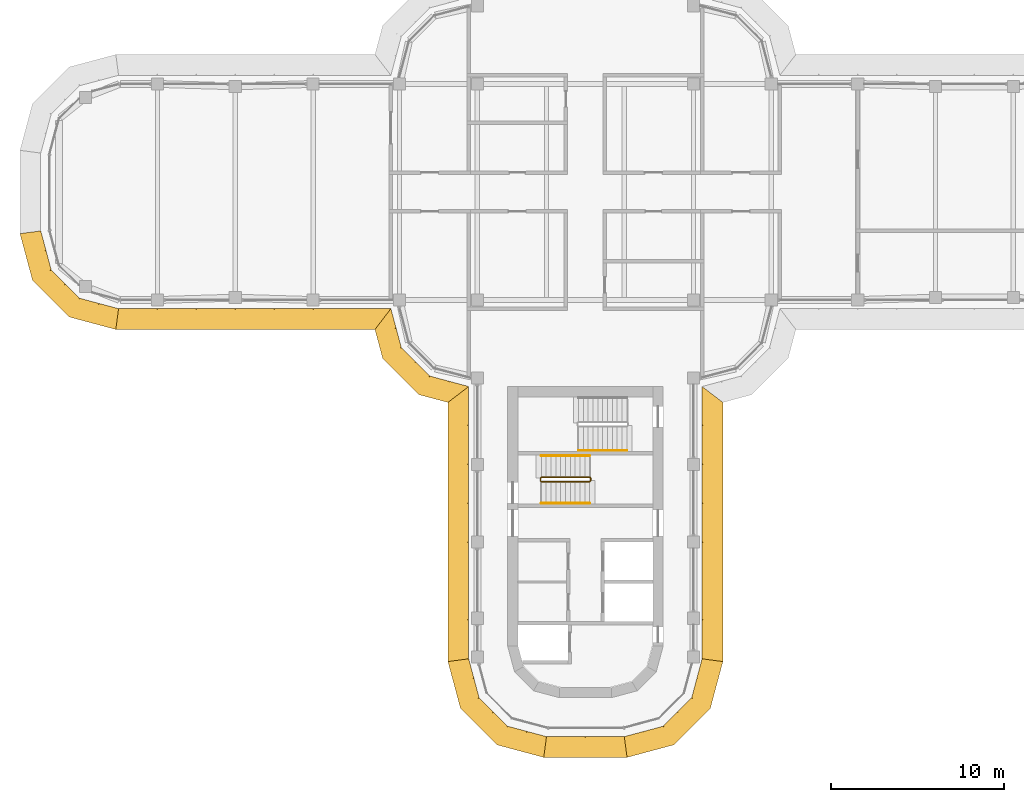
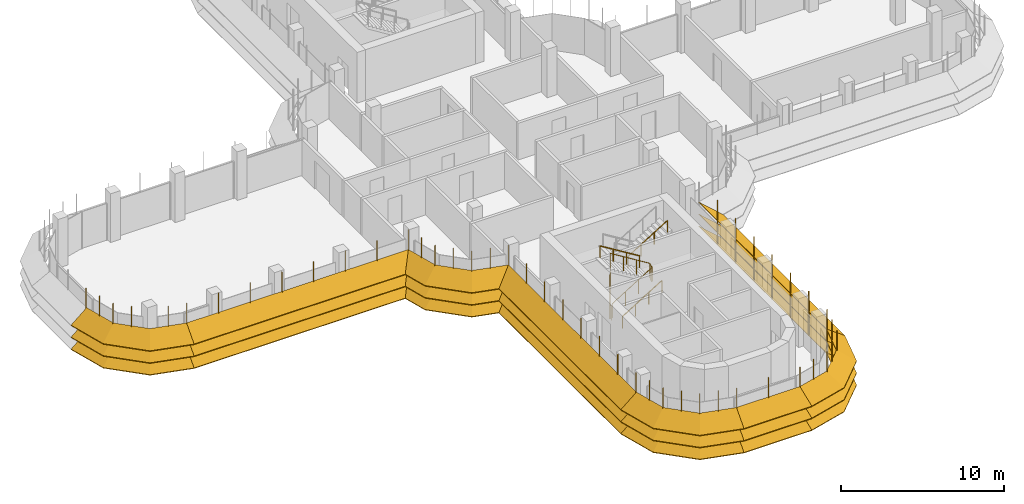
# One storey, part 16 of 19: 8 shading devices, 4 railings.
"""IFC4 building model written with IfcOpenShell, lengths in metres."""

from ifc_helpers import new_model, si_unit, direction, frame, origin, origin_2d, place, context, subcontext, project, spatial, polyline, circle, outline, extrude, faceted_brep, source, transform, mapped, material, type_object, element, save


model = new_model("IFC4")

# Units and contexts
model_context = context("Model", 3, precision=1e-05, world=origin(), true_north=direction((0.0, 1.0)))
body_context = subcontext(model_context, "Body", "Model", "MODEL_VIEW")
ifc_project = project(units=[si_unit("LENGTHUNIT", "METRE"), si_unit("AREAUNIT", "SQUARE_METRE"), si_unit("VOLUMEUNIT", "CUBIC_METRE"), si_unit("PLANEANGLEUNIT", "RADIAN"), si_unit("MASSUNIT", "GRAM", prefix="KILO")], contexts=[model_context])

# Site, building, storey
site_placement = place(None, origin())
site = spatial("IfcSite", under=ifc_project, at=site_placement, CompositionType="ELEMENT")
building_placement = place(site_placement, origin())
building = spatial("IfcBuilding", under=site, at=building_placement, Name="Zarbagh Exchange Tower", CompositionType="ELEMENT")
storey_placement = place(building_placement, frame((0.0, 0.0, 222.0)))
storey = spatial("IfcBuildingStorey", under=building, at=storey_placement, Name="L54", CompositionType="ELEMENT", Elevation=222.0)

# Railings
ifc_material_1 = material(Name="Stainless steel", Category="steel")
railing_type_1 = type_object("IfcRailingType", Name="Stair guard 1100 mm", PredefinedType="GUARDRAIL", material=ifc_material_1)
railing_1_placement = place(storey_placement, frame((-2.550048828125, -16.75, 0.172607421875)))
element("IfcRailing", 1, at=railing_1_placement, inside=storey, type_object=railing_type_1, Name="ST3 stair guard 1", PredefinedType="GUARDRAIL", context=body_context, shape_type="SweptSolid", body=[
    extrude(circle(Radius=0.02392578125, at=origin_2d()), frame((0.0, 0.0, 1.076171875), z_axis=(0.851089632645, 0.0, 0.525020415988), x_axis=(0.0, 1.0, 0.0)), (0.0, 0.0, 1.0), 3.2900390625),
    extrude(circle(Radius=0.02392578125, at=origin_2d()), frame((2.800048828125, 0.0, 2.80322265625), z_axis=(0.707106781187, 0.707106781187, 0.0), x_axis=(-0.707106781187, 0.707106781187, 0.0)), (0.0, 0.0, 1.0), 0.07080078125),
    extrude(circle(Radius=0.02392578125, at=origin_2d()), frame((2.85009765625, 0.050048828125, 2.80322265625), z_axis=(0.0, 1.0, 0.0), x_axis=(-1.0, 0.0, 0.0)), (0.0, 0.0, 1.0), 0.14990234375),
    extrude(circle(Radius=0.02392578125, at=origin_2d()), frame((2.85009765625, 0.199951171875, 2.80322265625), z_axis=(-0.267953482034, 0.267953482034, 0.925419830635), x_axis=(-0.707106781187, -0.707106781187, 0.0)), (0.0, 0.0, 1.0), 0.186767578125),
    extrude(circle(Radius=0.02392578125, at=origin_2d()), frame((2.800048828125, 0.25, 2.97607421875), z_axis=(-0.851089632645, 0.0, 0.525020415988), x_axis=(0.0, -1.0, 0.0)), (0.0, 0.0, 1.0), 3.2900390625),
    extrude(circle(Radius=0.02392578125, at=origin_2d()), frame((0.0, 0.25, 4.70361328125), z_axis=(-0.013168290981, -0.013168290981, -0.999826581076), x_axis=(0.707106781187, -0.707106781187, 0.0)), (0.0, 0.0, 1.0), 3.80078125),
    extrude(circle(Radius=0.02392578125, at=origin_2d()), frame((-0.050048828125, 0.199951171875, 0.9033203125), z_axis=(0.0, -1.0, 0.0), x_axis=(1.0, 0.0, 0.0)), (0.0, 0.0, 1.0), 0.14990234375),
    extrude(circle(Radius=0.02099609375, at=origin_2d()), origin(), (0.0, 0.0, 1.0), 1.052001953125),
    extrude(circle(Radius=0.02099609375, at=origin_2d()), frame((0.933349609375, 0.0, 0.57568359375)), (0.0, 0.0, 1.0), 1.052001953125),
    extrude(circle(Radius=0.02099609375, at=origin_2d()), frame((1.86669921875, 0.0, 1.151611328125)), (0.0, 0.0, 1.0), 1.052001953125),
    extrude(circle(Radius=0.02099609375, at=origin_2d()), frame((2.800048828125, 0.0, 1.727294921875)), (0.0, 0.0, 1.0), 1.052001953125),
    extrude(circle(Radius=0.02099609375, at=origin_2d()), frame((2.85009765625, 0.050048828125, 1.727294921875)), (0.0, 0.0, 1.0), 1.052001953125),
    extrude(circle(Radius=0.02099609375, at=origin_2d()), frame((2.85009765625, 0.199951171875, 1.727294921875)), (0.0, 0.0, 1.0), 1.052001953125),
    extrude(circle(Radius=0.02099609375, at=origin_2d()), frame((2.800048828125, 0.25, 1.900146484375)), (0.0, 0.0, 1.0), 1.052001953125),
    extrude(circle(Radius=0.02099609375, at=origin_2d()), frame((1.86669921875, 0.25, 2.475830078125)), (0.0, 0.0, 1.0), 1.052001953125),
    extrude(circle(Radius=0.02099609375, at=origin_2d()), frame((0.933349609375, 0.25, 3.0517578125)), (0.0, 0.0, 1.0), 1.052001953125),
    extrude(circle(Radius=0.02099609375, at=origin_2d()), frame((0.0, 0.25, 3.62744140625)), (0.0, 0.0, 1.0), 1.052001953125),
    extrude(circle(Radius=0.02099609375, at=origin_2d()), frame((-0.012451171875, 0.237548828125, 2.677490234375)), (0.0, 0.0, 1.0), 1.052001953125),
    extrude(circle(Radius=0.02099609375, at=origin_2d()), frame((-0.02490234375, 0.22509765625, 1.7275390625)), (0.0, 0.0, 1.0), 1.052001953125),
    extrude(circle(Radius=0.02099609375, at=origin_2d()), frame((-0.03759765625, 0.21240234375, 0.77734375)), (0.0, 0.0, 1.0), 1.052001953125),
    extrude(circle(Radius=0.02099609375, at=origin_2d()), frame((-0.050048828125, 0.199951171875, -0.172607421875)), (0.0, 0.0, 1.0), 1.052001953125),
    extrude(circle(Radius=0.02099609375, at=origin_2d()), frame((-0.050048828125, 0.050048828125, -0.172607421875)), (0.0, 0.0, 1.0), 1.052001953125),
])
railing_type_2 = type_object("IfcRailingType", Name="Stair handrail 900 mm", PredefinedType="HANDRAIL", material=ifc_material_1)
railing_2_placement = place(storey_placement, frame((-2.550048828125, -18.0, 0.172607421875)))
element("IfcRailing", 2, at=railing_2_placement, inside=storey, type_object=railing_type_2, Name="ST3 stair handrail 1", PredefinedType="HANDRAIL", context=body_context, shape_type="SweptSolid", body=[
    extrude(circle(Radius=0.02392578125, at=origin_2d()), frame((0.0, 0.0, 0.8759765625), z_axis=(0.851089632645, 0.0, 0.525020415988), x_axis=(0.0, 1.0, 0.0)), (0.0, 0.0, 1.0), 3.2900390625),
    extrude(circle(Radius=0.02099609375, at=origin_2d()), origin(), (0.0, 0.0, 1.0), 0.851806640625),
    extrude(circle(Radius=0.02099609375, at=origin_2d()), frame((0.933349609375, 0.0, 0.57568359375)), (0.0, 0.0, 1.0), 0.851806640625),
    extrude(circle(Radius=0.02099609375, at=origin_2d()), frame((1.86669921875, 0.0, 1.151611328125)), (0.0, 0.0, 1.0), 0.851806640625),
    extrude(circle(Radius=0.02099609375, at=origin_2d()), frame((2.800048828125, 0.0, 1.727294921875)), (0.0, 0.0, 1.0), 0.851806640625),
])
railing_3_placement = place(storey_placement, frame((0.25, -15.25, 2.07275390625)))
element("IfcRailing", 3, at=railing_3_placement, inside=storey, type_object=railing_type_2, Name="ST3 stair handrail 2", PredefinedType="HANDRAIL", context=body_context, shape_type="SweptSolid", body=[
    extrude(circle(Radius=0.02392578125, at=origin_2d()), frame((0.0, 0.0, 0.8759765625), z_axis=(-0.851089632645, 0.0, 0.525020415988), x_axis=(0.0, -1.0, 0.0)), (0.0, 0.0, 1.0), 3.2900390625),
    extrude(circle(Radius=0.02099609375, at=origin_2d()), origin(), (0.0, 0.0, 1.0), 0.851806640625),
    extrude(circle(Radius=0.02099609375, at=origin_2d()), frame((-0.933349609375, 0.0, 0.57568359375)), (0.0, 0.0, 1.0), 0.851806640625),
    extrude(circle(Radius=0.02099609375, at=origin_2d()), frame((-1.86669921875, 0.0, 1.151611328125)), (0.0, 0.0, 1.0), 0.851806640625),
    extrude(circle(Radius=0.02099609375, at=origin_2d()), frame((-2.800048828125, 0.0, 1.727294921875)), (0.0, 0.0, 1.0), 0.851806640625),
])
railing_4_placement = place(storey_placement, frame((-0.39990234375, -14.949951171875, 2.07275390625)))
element("IfcRailing", 4, at=railing_4_placement, inside=storey, type_object=railing_type_2, Name="ST4 stair handrail 2", PredefinedType="HANDRAIL", context=body_context, shape_type="SweptSolid", body=[
    extrude(circle(Radius=0.02392578125, at=origin_2d()), frame((0.0, 0.0, 0.8759765625), z_axis=(0.851069175582, 0.0, 0.525053576669), x_axis=(0.0, 1.0, 0.0)), (0.0, 0.0, 1.0), 3.289794921875),
    extrude(circle(Radius=0.02099609375, at=origin_2d()), origin(), (0.0, 0.0, 1.0), 0.851806640625),
    extrude(circle(Radius=0.02099609375, at=origin_2d()), frame((0.933349609375, 0.0, 0.57568359375)), (0.0, 0.0, 1.0), 0.851806640625),
    extrude(circle(Radius=0.02099609375, at=origin_2d()), frame((1.866455078125, 0.0, 1.151611328125)), (0.0, 0.0, 1.0), 0.851806640625),
    extrude(circle(Radius=0.02099609375, at=origin_2d()), frame((2.7998046875, 0.0, 1.727294921875)), (0.0, 0.0, 1.0), 0.851806640625),
])

# Shading devices
ifc_material_2 = material(Name="Anodised aluminium blades and brackets", Category="aluminium")
shading_device_type = type_object("IfcShadingDeviceType", Name="SUNSHADE louvre band, 33.75 degree blades", PredefinedType="JALOUSIE", material=ifc_material_2)
shared_shape_1 = source(origin(), body_context, "Body", "Brep", [
    faceted_brep([(0.0, 0.0, 0.0), (0.0, 0.0, -0.048095703125), (-0.157958984375, -1.199951171875, -0.849853515625), (-0.157958984375, -1.199951171875, -0.8017578125), (2.65087890625, -1.199951171875, -0.8017578125), (2.65087890625, -1.199951171875, -0.849853515625), (2.329345703125, 0.0, -0.048095703125), (2.329345703125, 0.0, 0.0)], [[[0, 1, 2, 3]], [[4, 5, 6, 7]], [[0, 7, 6, 1]], [[1, 6, 5, 2]], [[2, 5, 4, 3]], [[3, 4, 7, 0]]]),
])
shared_shape_2 = source(origin(), body_context, "Body", "Brep", [
    faceted_brep([(0.0, 0.0, 0.0), (0.0, 0.0, -0.048095703125), (-0.321533203125, -1.199951171875, -0.849853515625), (-0.321533203125, -1.199951171875, -0.8017578125), (2.65087890625, -1.199951171875, -0.8017578125), (2.65087890625, -1.199951171875, -0.849853515625), (2.329345703125, 0.0, -0.048095703125), (2.329345703125, 0.0, 0.0)], [[[0, 1, 2, 3]], [[4, 5, 6, 7]], [[0, 7, 6, 1]], [[1, 6, 5, 2]], [[2, 5, 4, 3]], [[3, 4, 7, 0]]]),
])
shared_shape_3 = source(origin(), body_context, "Body", "Brep", [
    faceted_brep([(0.0, 0.0, 0.0), (0.0, 0.0, -0.048095703125), (-0.321533203125, -1.199951171875, -0.849853515625), (-0.321533203125, -1.199951171875, -0.8017578125), (2.4873046875, -1.199951171875, -0.8017578125), (2.4873046875, -1.199951171875, -0.849853515625), (2.329345703125, 0.0, -0.048095703125), (2.329345703125, 0.0, 0.0)], [[[0, 1, 2, 3]], [[4, 5, 6, 7]], [[0, 7, 6, 1]], [[1, 6, 5, 2]], [[2, 5, 4, 3]], [[3, 4, 7, 0]]]),
])
shared_shape_4 = source(origin(), body_context, "Body", "SweptSolid", [
    extrude(outline(polyline([(0.0, -0.012451171875), (0.06005859375, -0.012451171875), (0.06005859375, 0.012451171875), (0.0, 0.012451171875), (0.0, -0.012451171875)])), origin(), (0.0, 0.0, 1.0), 3.358154296875),
])
placement = place(storey_placement, origin())
element("IfcShadingDevice", 5, at=placement, inside=storey, type_object=shading_device_type, Name="SS35 sunshade band", PredefinedType="JALOUSIE", context=body_context, shape_type="MappedRepresentation", body=[
    mapped(shared_shape_1, transform((2.25, -31.5, 2.300048828125), x_axis=(0.965924289636, 0.258824779902, 0.0), y_axis=(-0.258824779902, 0.965924289636, 0.0), z_axis=(0.0, 0.0, 1.0))),
    mapped(shared_shape_1, transform((2.25, -31.5, 1.39990234375), x_axis=(0.965924289636, 0.258824779902, 0.0), y_axis=(-0.258824779902, 0.965924289636, 0.0), z_axis=(0.0, 0.0, 1.0))),
    mapped(shared_shape_1, transform((2.25, -31.5, 0.5), x_axis=(0.965924289636, 0.258824779902, 0.0), y_axis=(-0.258824779902, 0.965924289636, 0.0), z_axis=(0.0, 0.0, 1.0))),
    mapped(shared_shape_2, transform((4.5, -30.897216796875, 2.300048828125), x_axis=(0.707106781187, 0.707106781187, 0.0), y_axis=(-0.707106781187, 0.707106781187, 0.0), z_axis=(0.0, 0.0, 1.0))),
    mapped(shared_shape_2, transform((4.5, -30.897216796875, 1.39990234375), x_axis=(0.707106781187, 0.707106781187, 0.0), y_axis=(-0.707106781187, 0.707106781187, 0.0), z_axis=(0.0, 0.0, 1.0))),
    mapped(shared_shape_2, transform((4.5, -30.897216796875, 0.5), x_axis=(0.707106781187, 0.707106781187, 0.0), y_axis=(-0.707106781187, 0.707106781187, 0.0), z_axis=(0.0, 0.0, 1.0))),
    mapped(shared_shape_3, transform((6.147216796875, -29.25, 2.300048828125), x_axis=(0.258824779902, 0.965924289636, 0.0), y_axis=(-0.965924289636, 0.258824779902, 0.0), z_axis=(0.0, 0.0, 1.0))),
    mapped(shared_shape_3, transform((6.147216796875, -29.25, 1.39990234375), x_axis=(0.258824779902, 0.965924289636, 0.0), y_axis=(-0.965924289636, 0.258824779902, 0.0), z_axis=(0.0, 0.0, 1.0))),
    mapped(shared_shape_3, transform((6.147216796875, -29.25, 0.5), x_axis=(0.258824779902, 0.965924289636, 0.0), y_axis=(-0.965924289636, 0.258824779902, 0.0), z_axis=(0.0, 0.0, 1.0))),
    mapped(shared_shape_4, transform((2.25, -31.5, 0.421875), x_axis=(0.130529263012, -0.991444457092, 0.0), y_axis=(0.991444457092, 0.130529263012, 0.0), z_axis=(0.0, 0.0, 1.0))),
    mapped(shared_shape_4, transform((3.375, -31.198486328125, 0.421875), x_axis=(0.258825058029, -0.96592421511, 0.0), y_axis=(0.96592421511, 0.258825058029, 0.0), z_axis=(0.0, 0.0, 1.0))),
    mapped(shared_shape_4, transform((4.5, -30.897216796875, 0.421875), x_axis=(0.50000275701, -0.866023812018, 0.0), y_axis=(0.866023812018, 0.50000275701, 0.0), z_axis=(0.0, 0.0, 1.0))),
    mapped(shared_shape_4, transform((5.323486328125, -30.073486328125, 0.421875), x_axis=(0.707106781187, -0.707106781187, 0.0), y_axis=(0.707106781187, 0.707106781187, 0.0), z_axis=(0.0, 0.0, 1.0))),
    mapped(shared_shape_4, transform((6.147216796875, -29.25, 0.421875), x_axis=(0.866023812018, -0.50000275701, 0.0), y_axis=(0.50000275701, 0.866023812018, 0.0), z_axis=(0.0, 0.0, 1.0))),
    mapped(shared_shape_4, transform((6.448486328125, -28.125, 0.421875), x_axis=(0.96592421511, -0.258825058029, 0.0), y_axis=(0.258825058029, 0.96592421511, 0.0), z_axis=(0.0, 0.0, 1.0))),
])
element("IfcShadingDevice", 6, at=placement, inside=storey, type_object=shading_device_type, Name="SS43 sunshade band", PredefinedType="JALOUSIE", context=body_context, shape_type="MappedRepresentation", body=[
    mapped(shared_shape_1, transform((-31.5, -2.25, 2.300048828125), x_axis=(0.258824779902, -0.965924289636, 0.0), y_axis=(0.965924289636, 0.258824779902, 0.0), z_axis=(0.0, 0.0, 1.0))),
    mapped(shared_shape_1, transform((-31.5, -2.25, 1.39990234375), x_axis=(0.258824779902, -0.965924289636, 0.0), y_axis=(0.965924289636, 0.258824779902, 0.0), z_axis=(0.0, 0.0, 1.0))),
    mapped(shared_shape_1, transform((-31.5, -2.25, 0.5), x_axis=(0.258824779902, -0.965924289636, 0.0), y_axis=(0.965924289636, 0.258824779902, 0.0), z_axis=(0.0, 0.0, 1.0))),
    mapped(shared_shape_2, transform((-30.897216796875, -4.5, 2.300048828125), x_axis=(0.707106781187, -0.707106781187, 0.0), y_axis=(0.707106781187, 0.707106781187, 0.0), z_axis=(0.0, 0.0, 1.0))),
    mapped(shared_shape_2, transform((-30.897216796875, -4.5, 1.39990234375), x_axis=(0.707106781187, -0.707106781187, 0.0), y_axis=(0.707106781187, 0.707106781187, 0.0), z_axis=(0.0, 0.0, 1.0))),
    mapped(shared_shape_2, transform((-30.897216796875, -4.5, 0.5), x_axis=(0.707106781187, -0.707106781187, 0.0), y_axis=(0.707106781187, 0.707106781187, 0.0), z_axis=(0.0, 0.0, 1.0))),
    mapped(shared_shape_3, transform((-29.25, -6.147216796875, 2.300048828125), x_axis=(0.965924289636, -0.258824779902, 0.0), y_axis=(0.258824779902, 0.965924289636, 0.0), z_axis=(0.0, 0.0, 1.0))),
    mapped(shared_shape_3, transform((-29.25, -6.147216796875, 1.39990234375), x_axis=(0.965924289636, -0.258824779902, 0.0), y_axis=(0.258824779902, 0.965924289636, 0.0), z_axis=(0.0, 0.0, 1.0))),
    mapped(shared_shape_3, transform((-29.25, -6.147216796875, 0.5), x_axis=(0.965924289636, -0.258824779902, 0.0), y_axis=(0.258824779902, 0.965924289636, 0.0), z_axis=(0.0, 0.0, 1.0))),
    mapped(shared_shape_4, transform((-31.5, -2.25, 0.421875), x_axis=(-0.991444457092, -0.130529263012, 0.0), y_axis=(0.130529263012, -0.991444457092, 0.0), z_axis=(0.0, 0.0, 1.0))),
    mapped(shared_shape_4, transform((-31.198486328125, -3.375, 0.421875), x_axis=(-0.96592421511, -0.258825058029, 0.0), y_axis=(0.258825058029, -0.96592421511, 0.0), z_axis=(0.0, 0.0, 1.0))),
    mapped(shared_shape_4, transform((-30.897216796875, -4.5, 0.421875), x_axis=(-0.866023812018, -0.50000275701, 0.0), y_axis=(0.50000275701, -0.866023812018, 0.0), z_axis=(0.0, 0.0, 1.0))),
    mapped(shared_shape_4, transform((-30.073486328125, -5.323486328125, 0.421875), x_axis=(-0.707106781187, -0.707106781187, 0.0), y_axis=(0.707106781187, -0.707106781187, 0.0), z_axis=(0.0, 0.0, 1.0))),
    mapped(shared_shape_4, transform((-29.25, -6.147216796875, 0.421875), x_axis=(-0.50000275701, -0.866023812018, 0.0), y_axis=(0.866023812018, -0.50000275701, 0.0), z_axis=(0.0, 0.0, 1.0))),
    mapped(shared_shape_4, transform((-28.125, -6.448486328125, 0.421875), x_axis=(-0.258825058029, -0.96592421511, 0.0), y_axis=(0.96592421511, -0.258825058029, 0.0), z_axis=(0.0, 0.0, 1.0))),
])
element("IfcShadingDevice", 7, at=placement, inside=storey, type_object=shading_device_type, Name="SS38 sunshade band", PredefinedType="JALOUSIE", context=body_context, shape_type="MappedRepresentation", body=[
    mapped(shared_shape_1, transform((-6.75, -27.0, 2.300048828125), x_axis=(0.258824779902, -0.965924289636, 0.0), y_axis=(0.965924289636, 0.258824779902, 0.0), z_axis=(0.0, 0.0, 1.0))),
    mapped(shared_shape_1, transform((-6.75, -27.0, 1.39990234375), x_axis=(0.258824779902, -0.965924289636, 0.0), y_axis=(0.965924289636, 0.258824779902, 0.0), z_axis=(0.0, 0.0, 1.0))),
    mapped(shared_shape_1, transform((-6.75, -27.0, 0.5), x_axis=(0.258824779902, -0.965924289636, 0.0), y_axis=(0.965924289636, 0.258824779902, 0.0), z_axis=(0.0, 0.0, 1.0))),
    mapped(shared_shape_2, transform((-6.147216796875, -29.25, 2.300048828125), x_axis=(0.707106781187, -0.707106781187, 0.0), y_axis=(0.707106781187, 0.707106781187, 0.0), z_axis=(0.0, 0.0, 1.0))),
    mapped(shared_shape_2, transform((-6.147216796875, -29.25, 1.39990234375), x_axis=(0.707106781187, -0.707106781187, 0.0), y_axis=(0.707106781187, 0.707106781187, 0.0), z_axis=(0.0, 0.0, 1.0))),
    mapped(shared_shape_2, transform((-6.147216796875, -29.25, 0.5), x_axis=(0.707106781187, -0.707106781187, 0.0), y_axis=(0.707106781187, 0.707106781187, 0.0), z_axis=(0.0, 0.0, 1.0))),
    mapped(shared_shape_3, transform((-4.5, -30.897216796875, 2.300048828125), x_axis=(0.965924289636, -0.258824779902, 0.0), y_axis=(0.258824779902, 0.965924289636, 0.0), z_axis=(0.0, 0.0, 1.0))),
    mapped(shared_shape_3, transform((-4.5, -30.897216796875, 1.39990234375), x_axis=(0.965924289636, -0.258824779902, 0.0), y_axis=(0.258824779902, 0.965924289636, 0.0), z_axis=(0.0, 0.0, 1.0))),
    mapped(shared_shape_3, transform((-4.5, -30.897216796875, 0.5), x_axis=(0.965924289636, -0.258824779902, 0.0), y_axis=(0.258824779902, 0.965924289636, 0.0), z_axis=(0.0, 0.0, 1.0))),
    mapped(shared_shape_4, transform((-6.75, -27.0, 0.421875), x_axis=(-0.991444457092, -0.130529263012, 0.0), y_axis=(0.130529263012, -0.991444457092, 0.0), z_axis=(0.0, 0.0, 1.0))),
    mapped(shared_shape_4, transform((-6.448486328125, -28.125, 0.421875), x_axis=(-0.96592421511, -0.258825058029, 0.0), y_axis=(0.258825058029, -0.96592421511, 0.0), z_axis=(0.0, 0.0, 1.0))),
    mapped(shared_shape_4, transform((-6.147216796875, -29.25, 0.421875), x_axis=(-0.866023812018, -0.50000275701, 0.0), y_axis=(0.50000275701, -0.866023812018, 0.0), z_axis=(0.0, 0.0, 1.0))),
    mapped(shared_shape_4, transform((-5.323486328125, -30.073486328125, 0.421875), x_axis=(-0.707106781187, -0.707106781187, 0.0), y_axis=(0.707106781187, -0.707106781187, 0.0), z_axis=(0.0, 0.0, 1.0))),
    mapped(shared_shape_4, transform((-4.5, -30.897216796875, 0.421875), x_axis=(-0.50000275701, -0.866023812018, 0.0), y_axis=(0.866023812018, -0.50000275701, 0.0), z_axis=(0.0, 0.0, 1.0))),
    mapped(shared_shape_4, transform((-3.375, -31.198486328125, 0.421875), x_axis=(-0.258825058029, -0.96592421511, 0.0), y_axis=(0.96592421511, -0.258825058029, 0.0), z_axis=(0.0, 0.0, 1.0))),
])
shared_shape_5 = source(origin(), body_context, "Body", "Brep", [
    faceted_brep([(0.0, 0.0, 0.0), (0.0, 0.0, -0.048095703125), (0.9208984375, -1.199951171875, -0.849853515625), (0.9208984375, -1.199951171875, -0.8017578125), (2.65087890625, -1.199951171875, -0.8017578125), (2.65087890625, -1.199951171875, -0.849853515625), (2.329345703125, 0.0, -0.048095703125), (2.329345703125, 0.0, 0.0)], [[[0, 1, 2, 3]], [[4, 5, 6, 7]], [[0, 7, 6, 1]], [[1, 6, 5, 2]], [[2, 5, 4, 3]], [[3, 4, 7, 0]]]),
])
shared_shape_6 = source(origin(), body_context, "Body", "Brep", [
    faceted_brep([(0.0, 0.0, 0.0), (0.0, 0.0, -0.048095703125), (-0.321533203125, -1.199951171875, -0.849853515625), (-0.321533203125, -1.199951171875, -0.8017578125), (1.40869140625, -1.199951171875, -0.8017578125), (1.40869140625, -1.199951171875, -0.849853515625), (2.329345703125, 0.0, -0.048095703125), (2.329345703125, 0.0, 0.0)], [[[0, 1, 2, 3]], [[4, 5, 6, 7]], [[0, 7, 6, 1]], [[1, 6, 5, 2]], [[2, 5, 4, 3]], [[3, 4, 7, 0]]]),
])
element("IfcShadingDevice", 8, at=placement, inside=storey, type_object=shading_device_type, Name="SS21 sunshade band", PredefinedType="JALOUSIE", context=body_context, shape_type="MappedRepresentation", body=[
    mapped(shared_shape_5, transform((-11.25, -6.75, 2.300048828125), x_axis=(0.258824779902, -0.965924289636, 0.0), y_axis=(0.965924289636, 0.258824779902, 0.0), z_axis=(0.0, 0.0, 1.0))),
    mapped(shared_shape_5, transform((-11.25, -6.75, 1.39990234375), x_axis=(0.258824779902, -0.965924289636, 0.0), y_axis=(0.965924289636, 0.258824779902, 0.0), z_axis=(0.0, 0.0, 1.0))),
    mapped(shared_shape_5, transform((-11.25, -6.75, 0.5), x_axis=(0.258824779902, -0.965924289636, 0.0), y_axis=(0.965924289636, 0.258824779902, 0.0), z_axis=(0.0, 0.0, 1.0))),
    mapped(shared_shape_2, transform((-10.647216796875, -9.0, 2.300048828125), x_axis=(0.707106781187, -0.707106781187, 0.0), y_axis=(0.707106781187, 0.707106781187, 0.0), z_axis=(0.0, 0.0, 1.0))),
    mapped(shared_shape_2, transform((-10.647216796875, -9.0, 1.39990234375), x_axis=(0.707106781187, -0.707106781187, 0.0), y_axis=(0.707106781187, 0.707106781187, 0.0), z_axis=(0.0, 0.0, 1.0))),
    mapped(shared_shape_2, transform((-10.647216796875, -9.0, 0.5), x_axis=(0.707106781187, -0.707106781187, 0.0), y_axis=(0.707106781187, 0.707106781187, 0.0), z_axis=(0.0, 0.0, 1.0))),
    mapped(shared_shape_6, transform((-9.0, -10.647216796875, 2.300048828125), x_axis=(0.965924289636, -0.258824779902, 0.0), y_axis=(0.258824779902, 0.965924289636, 0.0), z_axis=(0.0, 0.0, 1.0))),
    mapped(shared_shape_6, transform((-9.0, -10.647216796875, 1.39990234375), x_axis=(0.965924289636, -0.258824779902, 0.0), y_axis=(0.258824779902, 0.965924289636, 0.0), z_axis=(0.0, 0.0, 1.0))),
    mapped(shared_shape_6, transform((-9.0, -10.647216796875, 0.5), x_axis=(0.965924289636, -0.258824779902, 0.0), y_axis=(0.258824779902, 0.965924289636, 0.0), z_axis=(0.0, 0.0, 1.0))),
    mapped(shared_shape_4, transform((-11.25, -6.75, 0.421875), x_axis=(-0.608758892, -0.793355287, 0.0), y_axis=(0.793355287, -0.608758892, 0.0), z_axis=(0.0, 0.0, 1.0))),
    mapped(shared_shape_4, transform((-10.948486328125, -7.875, 0.421875), x_axis=(-0.96592421511, -0.258825058029, 0.0), y_axis=(0.258825058029, -0.96592421511, 0.0), z_axis=(0.0, 0.0, 1.0))),
    mapped(shared_shape_4, transform((-10.647216796875, -9.0, 0.421875), x_axis=(-0.866023812018, -0.50000275701, 0.0), y_axis=(0.50000275701, -0.866023812018, 0.0), z_axis=(0.0, 0.0, 1.0))),
    mapped(shared_shape_4, transform((-9.823486328125, -9.823486328125, 0.421875), x_axis=(-0.707106781187, -0.707106781187, 0.0), y_axis=(0.707106781187, -0.707106781187, 0.0), z_axis=(0.0, 0.0, 1.0))),
    mapped(shared_shape_4, transform((-9.0, -10.647216796875, 0.421875), x_axis=(-0.50000275701, -0.866023812018, 0.0), y_axis=(0.866023812018, -0.50000275701, 0.0), z_axis=(0.0, 0.0, 1.0))),
    mapped(shared_shape_4, transform((-7.875, -10.948486328125, 0.421875), x_axis=(-0.258825058029, -0.96592421511, 0.0), y_axis=(0.96592421511, -0.258825058029, 0.0), z_axis=(0.0, 0.0, 1.0))),
])
shared_shape_7 = source(origin(), body_context, "Body", "Brep", [
    faceted_brep([(0.0, 0.0, 0.0), (0.0, 0.0, -0.048095703125), (-0.157958984375, -1.199951171875, -0.849853515625), (-0.157958984375, -1.199951171875, -0.8017578125), (14.8291015625, -1.199951171875, -0.8017578125), (14.8291015625, -1.199951171875, -0.849853515625), (15.75, 0.0, -0.048095703125), (15.75, 0.0, 0.0)], [[[0, 1, 2, 3]], [[4, 5, 6, 7]], [[0, 7, 6, 1]], [[1, 6, 5, 2]], [[2, 5, 4, 3]], [[3, 4, 7, 0]]]),
])
element("IfcShadingDevice", 9, at=placement, inside=storey, type_object=shading_device_type, Name="SS36 sunshade band", PredefinedType="JALOUSIE", context=body_context, shape_type="MappedRepresentation", body=[
    mapped(shared_shape_7, transform((6.75, -27.0, 2.300048828125), x_axis=(0.0, 1.0, 0.0), y_axis=(-1.0, 0.0, 0.0), z_axis=(0.0, 0.0, 1.0))),
    mapped(shared_shape_7, transform((6.75, -27.0, 1.39990234375), x_axis=(0.0, 1.0, 0.0), y_axis=(-1.0, 0.0, 0.0), z_axis=(0.0, 0.0, 1.0))),
    mapped(shared_shape_7, transform((6.75, -27.0, 0.5), x_axis=(0.0, 1.0, 0.0), y_axis=(-1.0, 0.0, 0.0), z_axis=(0.0, 0.0, 1.0))),
    mapped(shared_shape_4, transform((6.75, -27.0, 0.421875), x_axis=(0.991444457092, -0.130529263012, 0.0), y_axis=(0.130529263012, 0.991444457092, 0.0), z_axis=(0.0, 0.0, 1.0))),
    mapped(shared_shape_4, transform((6.75, -24.75, 0.421875), x_axis=(1.0, 0.0, 0.0), y_axis=(0.0, 1.0, 0.0), z_axis=(0.0, 0.0, 1.0))),
    mapped(shared_shape_4, transform((6.75, -22.5, 0.421875), x_axis=(1.0, 0.0, 0.0), y_axis=(0.0, 1.0, 0.0), z_axis=(0.0, 0.0, 1.0))),
    mapped(shared_shape_4, transform((6.75, -20.25, 0.421875), x_axis=(1.0, 0.0, 0.0), y_axis=(0.0, 1.0, 0.0), z_axis=(0.0, 0.0, 1.0))),
    mapped(shared_shape_4, transform((6.75, -18.0, 0.421875), x_axis=(1.0, 0.0, 0.0), y_axis=(0.0, 1.0, 0.0), z_axis=(0.0, 0.0, 1.0))),
    mapped(shared_shape_4, transform((6.75, -15.75, 0.421875), x_axis=(1.0, 0.0, 0.0), y_axis=(0.0, 1.0, 0.0), z_axis=(0.0, 0.0, 1.0))),
    mapped(shared_shape_4, transform((6.75, -13.5, 0.421875), x_axis=(1.0, 0.0, 0.0), y_axis=(0.0, 1.0, 0.0), z_axis=(0.0, 0.0, 1.0))),
])
element("IfcShadingDevice", 10, at=placement, inside=storey, type_object=shading_device_type, Name="SS44 sunshade band", PredefinedType="JALOUSIE", context=body_context, shape_type="MappedRepresentation", body=[
    mapped(shared_shape_7, transform((-27.0, -6.75, 2.300048828125), x_axis=(1.0, 0.0, 0.0), y_axis=(0.0, 1.0, 0.0), z_axis=(0.0, 0.0, 1.0))),
    mapped(shared_shape_7, transform((-27.0, -6.75, 1.39990234375), x_axis=(1.0, 0.0, 0.0), y_axis=(0.0, 1.0, 0.0), z_axis=(0.0, 0.0, 1.0))),
    mapped(shared_shape_7, transform((-27.0, -6.75, 0.5), x_axis=(1.0, 0.0, 0.0), y_axis=(0.0, 1.0, 0.0), z_axis=(0.0, 0.0, 1.0))),
    mapped(shared_shape_4, transform((-27.0, -6.75, 0.421875), x_axis=(-0.130529263012, -0.991444457092, 0.0), y_axis=(0.991444457092, -0.130529263012, 0.0), z_axis=(0.0, 0.0, 1.0))),
    mapped(shared_shape_4, transform((-24.75, -6.75, 0.421875), x_axis=(0.0, -1.0, 0.0), y_axis=(1.0, 0.0, 0.0), z_axis=(0.0, 0.0, 1.0))),
    mapped(shared_shape_4, transform((-22.5, -6.75, 0.421875), x_axis=(0.0, -1.0, 0.0), y_axis=(1.0, 0.0, 0.0), z_axis=(0.0, 0.0, 1.0))),
    mapped(shared_shape_4, transform((-20.25, -6.75, 0.421875), x_axis=(0.0, -1.0, 0.0), y_axis=(1.0, 0.0, 0.0), z_axis=(0.0, 0.0, 1.0))),
    mapped(shared_shape_4, transform((-18.0, -6.75, 0.421875), x_axis=(0.0, -1.0, 0.0), y_axis=(1.0, 0.0, 0.0), z_axis=(0.0, 0.0, 1.0))),
    mapped(shared_shape_4, transform((-15.75, -6.75, 0.421875), x_axis=(0.0, -1.0, 0.0), y_axis=(1.0, 0.0, 0.0), z_axis=(0.0, 0.0, 1.0))),
    mapped(shared_shape_4, transform((-13.5, -6.75, 0.421875), x_axis=(0.0, -1.0, 0.0), y_axis=(1.0, 0.0, 0.0), z_axis=(0.0, 0.0, 1.0))),
])
shared_shape_8 = source(origin(), body_context, "Body", "Brep", [
    faceted_brep([(0.0, 0.0, 0.0), (0.0, 0.0, -0.048095703125), (0.9208984375, -1.199951171875, -0.849853515625), (0.9208984375, -1.199951171875, -0.8017578125), (15.907958984375, -1.199951171875, -0.8017578125), (15.907958984375, -1.199951171875, -0.849853515625), (15.75, 0.0, -0.048095703125), (15.75, 0.0, 0.0)], [[[0, 1, 2, 3]], [[4, 5, 6, 7]], [[0, 7, 6, 1]], [[1, 6, 5, 2]], [[2, 5, 4, 3]], [[3, 4, 7, 0]]]),
])
element("IfcShadingDevice", 11, at=placement, inside=storey, type_object=shading_device_type, Name="SS37 sunshade band", PredefinedType="JALOUSIE", context=body_context, shape_type="MappedRepresentation", body=[
    mapped(shared_shape_8, transform((-6.75, -11.25, 2.300048828125), x_axis=(0.0, -1.0, 0.0), y_axis=(1.0, 0.0, 0.0), z_axis=(0.0, 0.0, 1.0))),
    mapped(shared_shape_8, transform((-6.75, -11.25, 1.39990234375), x_axis=(0.0, -1.0, 0.0), y_axis=(1.0, 0.0, 0.0), z_axis=(0.0, 0.0, 1.0))),
    mapped(shared_shape_8, transform((-6.75, -11.25, 0.5), x_axis=(0.0, -1.0, 0.0), y_axis=(1.0, 0.0, 0.0), z_axis=(0.0, 0.0, 1.0))),
    mapped(shared_shape_4, transform((-6.75, -11.25, 0.421875), x_axis=(-0.793355287, -0.608758892, 0.0), y_axis=(0.608758892, -0.793355287, 0.0), z_axis=(0.0, 0.0, 1.0))),
    mapped(shared_shape_4, transform((-6.75, -13.5, 0.421875), x_axis=(-1.0, 0.0, 0.0), y_axis=(0.0, -1.0, 0.0), z_axis=(0.0, 0.0, 1.0))),
    mapped(shared_shape_4, transform((-6.75, -15.75, 0.421875), x_axis=(-1.0, 0.0, 0.0), y_axis=(0.0, -1.0, 0.0), z_axis=(0.0, 0.0, 1.0))),
    mapped(shared_shape_4, transform((-6.75, -18.0, 0.421875), x_axis=(-1.0, 0.0, 0.0), y_axis=(0.0, -1.0, 0.0), z_axis=(0.0, 0.0, 1.0))),
    mapped(shared_shape_4, transform((-6.75, -20.25, 0.421875), x_axis=(-1.0, 0.0, 0.0), y_axis=(0.0, -1.0, 0.0), z_axis=(0.0, 0.0, 1.0))),
    mapped(shared_shape_4, transform((-6.75, -22.5, 0.421875), x_axis=(-1.0, 0.0, 0.0), y_axis=(0.0, -1.0, 0.0), z_axis=(0.0, 0.0, 1.0))),
    mapped(shared_shape_4, transform((-6.75, -24.75, 0.421875), x_axis=(-1.0, 0.0, 0.0), y_axis=(0.0, -1.0, 0.0), z_axis=(0.0, 0.0, 1.0))),
])
shared_shape_9 = source(origin(), body_context, "Body", "Brep", [
    faceted_brep([(0.0, 0.0, 0.0), (0.0, 0.0, -0.048095703125), (-0.157958984375, -1.199951171875, -0.849853515625), (-0.157958984375, -1.199951171875, -0.8017578125), (4.657958984375, -1.199951171875, -0.8017578125), (4.657958984375, -1.199951171875, -0.849853515625), (4.5, 0.0, -0.048095703125), (4.5, 0.0, 0.0)], [[[0, 1, 2, 3]], [[4, 5, 6, 7]], [[0, 7, 6, 1]], [[1, 6, 5, 2]], [[2, 5, 4, 3]], [[3, 4, 7, 0]]]),
])
element("IfcShadingDevice", 12, at=placement, inside=storey, type_object=shading_device_type, Name="SS39 sunshade band", PredefinedType="JALOUSIE", context=body_context, shape_type="MappedRepresentation", body=[
    mapped(shared_shape_9, transform((-2.25, -31.5, 2.300048828125), x_axis=(1.0, 0.0, 0.0), y_axis=(0.0, 1.0, 0.0), z_axis=(0.0, 0.0, 1.0))),
    mapped(shared_shape_9, transform((-2.25, -31.5, 1.39990234375), x_axis=(1.0, 0.0, 0.0), y_axis=(0.0, 1.0, 0.0), z_axis=(0.0, 0.0, 1.0))),
    mapped(shared_shape_9, transform((-2.25, -31.5, 0.5), x_axis=(1.0, 0.0, 0.0), y_axis=(0.0, 1.0, 0.0), z_axis=(0.0, 0.0, 1.0))),
    mapped(shared_shape_4, transform((-2.25, -31.5, 0.421875), x_axis=(-0.130529263012, -0.991444457092, 0.0), y_axis=(0.991444457092, -0.130529263012, 0.0), z_axis=(0.0, 0.0, 1.0))),
    mapped(shared_shape_4, transform((0.0, -31.5, 0.421875), x_axis=(0.0, -1.0, 0.0), y_axis=(1.0, 0.0, 0.0), z_axis=(0.0, 0.0, 1.0))),
])

save(model, "model.ifc")
